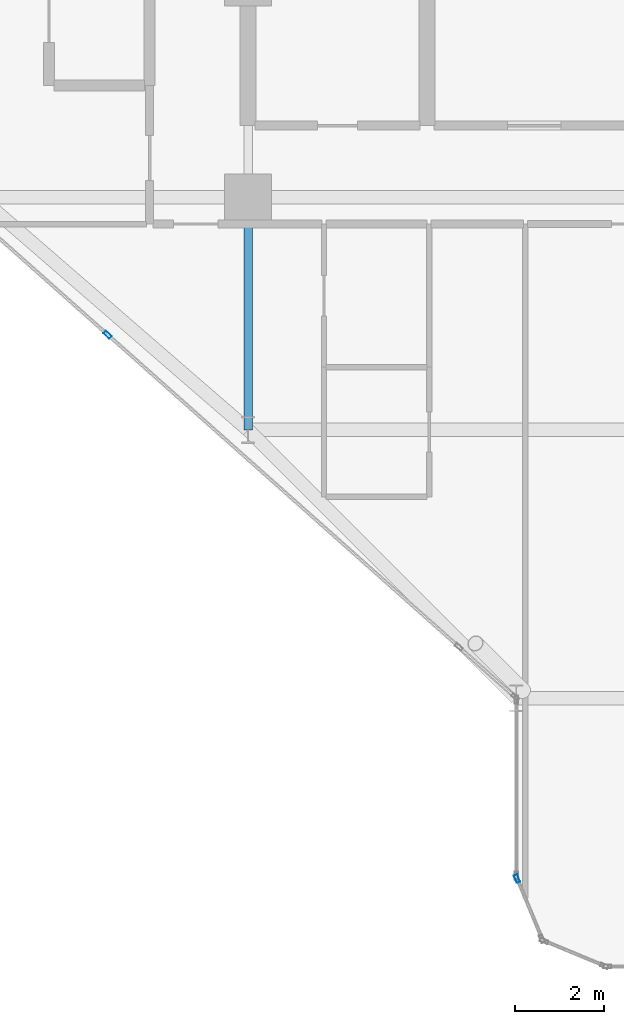
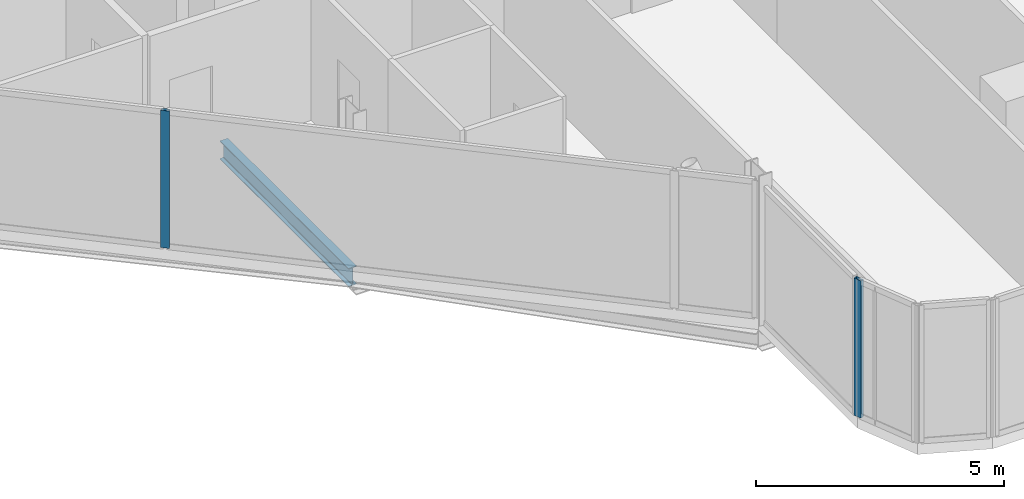
# One storey, part 3 of 29: 2 members, 1 beam, 2 elements without a shape of their own.
"""IFC4 building model written with IfcOpenShell, lengths in metres."""

import ifcopenshell
import ifcopenshell.guid

model = None  # the IFC model being written
_history = None  # IfcOwnerHistory: only IFC2X3 demands one
_inside = {}  # id of a spatial element -> (the spatial element, [elements in it])
_under = {}  # id of a project, library or spatial element -> (it, [spatial elements below it])
_declared = {}  # id of a project -> (the project, [libraries it declares])
_typed = {}  # id of a type object -> (the type object, [elements of that type])
_made_of = {}  # id of a material, layer set ... -> (it, [elements and type objects made of it])


def new_model(schema):
    """Start an empty IFC model of exactly this schema.

    Asked for "IFC4X3", IfcOpenShell would pick the latest addendum, in which some entities
    have other attributes; the version numbers below select the first issue.
    IFC2X3 requires an IfcOwnerHistory on every rooted entity: one is made here for all.
    """
    global model, _history
    if schema == "IFC4X3":
        model = ifcopenshell.file(schema_version=(4, 3, 0, 0))
    else:
        model = ifcopenshell.file(schema=schema)
    _inside.clear()
    _under.clear()
    _declared.clear()
    _typed.clear()
    _made_of.clear()
    _history = None
    if model.schema == "IFC2X3":
        org = make("IfcOrganization", Name="unknown")
        user = make(
            "IfcPersonAndOrganization",
            ThePerson=make("IfcPerson", FamilyName="unknown"),
            TheOrganization=org,
        )
        app = make(
            "IfcApplication",
            ApplicationDeveloper=org,
            Version="unknown",
            ApplicationFullName="unknown",
            ApplicationIdentifier="unknown",
        )
        _history = make(
            "IfcOwnerHistory",
            OwningUser=user,
            OwningApplication=app,
            ChangeAction="ADDED",
            CreationDate=0,
        )
    return model


def make(cls, **values):
    """One entity of the class cls with the attributes given. An attribute that is None is left unset."""
    return model.create_entity(
        cls, **{name: value for name, value in values.items() if value is not None}
    )


def rooted(cls, **values):
    """An entity with a GlobalId (a new one), such as an element, a storey or a relation."""
    return make(cls, GlobalId=ifcopenshell.guid.new(), OwnerHistory=_history, **values)


def si_unit(unit_type, name, prefix=None):
    """IfcSIUnit, for example si_unit("LENGTHUNIT", "METRE", prefix="MILLI")."""
    return make("IfcSIUnit", UnitType=unit_type, Prefix=prefix, Name=name)


def assignment(units):
    """IfcUnitAssignment: the units of a project."""
    return None if units is None else make("IfcUnitAssignment", Units=units)


def point(xyz):
    """IfcCartesianPoint."""
    return None if xyz is None else make("IfcCartesianPoint", Coordinates=xyz)


def direction(xyz):
    """IfcDirection."""
    return None if xyz is None else make("IfcDirection", DirectionRatios=xyz)


def frame(location, z_axis=None, x_axis=None):
    """IfcAxis2Placement3D, a coordinate frame: its origin and axes. An axis left out is left unset."""
    return make(
        "IfcAxis2Placement3D",
        Location=point(location),
        Axis=direction(z_axis),
        RefDirection=direction(x_axis),
    )


def frame_2d(location, x_axis=None):
    """IfcAxis2Placement2D, a coordinate frame in the plane: its origin and x axis."""
    return make(
        "IfcAxis2Placement2D", Location=point(location), RefDirection=direction(x_axis)
    )


def origin():
    """The frame at (0, 0, 0) with its axes left unset."""
    return frame((0.0, 0.0, 0.0))


def origin_2d():
    """The frame at (0, 0) in the plane with its x axis left unset."""
    return frame_2d((0.0, 0.0))


def place(relative_to, where):
    """IfcLocalPlacement: puts the frame where relative to a parent placement (None: the world)."""
    return make(
        "IfcLocalPlacement", PlacementRelTo=relative_to, RelativePlacement=where
    )


def context(
    kind, dimensions, precision=None, world=None, true_north=None, identifier=None
):
    """IfcGeometricRepresentationContext, for example the 3D "Model" context."""
    return make(
        "IfcGeometricRepresentationContext",
        ContextIdentifier=identifier,
        ContextType=kind,
        CoordinateSpaceDimension=dimensions,
        Precision=precision,
        WorldCoordinateSystem=world,
        TrueNorth=true_north,
    )


def subcontext(parent, identifier, kind, view, scale=None):
    """IfcGeometricRepresentationSubContext, for example "Body" below "Model"."""
    return make(
        "IfcGeometricRepresentationSubContext",
        ContextIdentifier=identifier,
        ContextType=kind,
        ParentContext=parent,
        TargetScale=scale,
        TargetView=view,
    )


def project(units=None, contexts=None):
    """IfcProject with its units and contexts."""
    return rooted(
        "IfcProject",
        Name="project",
        RepresentationContexts=contexts,
        UnitsInContext=assignment(units),
    )


def spatial(cls, under=None, at=None, **own):
    """A site, building, storey or space (cls), placed at a placement, below another one or the project."""
    s = rooted(cls, ObjectPlacement=at, **own)
    if under is not None:
        _under.setdefault(under.id(), (under, []))[1].append(s)
    return s


def profile(cls, at=None, kind="AREA", **sizes):
    """A parametric profile (cls). Its sizes go by their IFC names, for example OverallWidth=200.0."""
    return make(cls, ProfileType=kind, Position=at, **sizes)


def hollow_rectangle(**sizes):
    """IfcRectangleHollowProfileDef."""
    return profile("IfcRectangleHollowProfileDef", **sizes)


def i_section(**sizes):
    """IfcIShapeProfileDef."""
    return profile("IfcIShapeProfileDef", **sizes)


def extrude(swept, where, along, depth):
    """IfcExtrudedAreaSolid: the profile swept, set in the frame where, extruded along a direction by depth."""
    return make(
        "IfcExtrudedAreaSolid",
        SweptArea=swept,
        Position=where,
        ExtrudedDirection=direction(along),
        Depth=depth,
    )


def shape(context_of_items, identifier, shape_type, items):
    """IfcShapeRepresentation: the items that make up one representation, for example the "Body"."""
    return make(
        "IfcShapeRepresentation",
        ContextOfItems=context_of_items,
        RepresentationIdentifier=identifier,
        RepresentationType=shape_type,
        Items=items,
    )


def material(Name=None, Category=None):
    """IfcMaterial."""
    return make("IfcMaterial", Name=Name, Category=Category)


def layer(
    of_material, thickness, ventilated=None, Name=None, Category=None, Priority=None
):
    """IfcMaterialLayer: one layer of a wall or slab, of a material (None: an air gap)."""
    return make(
        "IfcMaterialLayer",
        Material=of_material,
        LayerThickness=thickness,
        IsVentilated=ventilated,
        Name=Name,
        Category=Category,
        Priority=Priority,
    )


def layer_set(layers, Name=None):
    """IfcMaterialLayerSet."""
    return make("IfcMaterialLayerSet", MaterialLayers=layers, LayerSetName=Name)


def material_profile(
    of_material, cross_section, Name=None, Category=None, Priority=None
):
    """IfcMaterialProfile: a cross section and its material."""
    return make(
        "IfcMaterialProfile",
        Name=Name,
        Material=of_material,
        Profile=cross_section,
        Priority=Priority,
        Category=Category,
    )


def profile_set(profiles, Name=None, composite=None):
    """IfcMaterialProfileSet."""
    return make(
        "IfcMaterialProfileSet",
        Name=Name,
        MaterialProfiles=profiles,
        CompositeProfile=composite,
    )


def made_of(thing, what):
    """Note that an element or type object is made of a material, layer set ...; save() writes the relation."""
    if what is not None:
        _made_of.setdefault(what.id(), (what, []))[1].append(thing)
    return thing


def type_object(cls, material=None, **own):
    """A type object (cls), such as IfcWallType, which elements share."""
    return made_of(rooted(cls, **own), material)


def element(
    cls,
    number,
    at=None,
    inside=None,
    cuts=None,
    type_object=None,
    material=None,
    context=None,
    identifier="Body",
    shape_type=None,
    held_by="IfcProductDefinitionShape",
    body=None,
    shapes=None,
    **own,
):
    """One element of the class cls, such as IfcWall. Its Tag is "e" and its number.

    at: its placement. inside: the storey or other place that contains it. cuts: it is an
    opening in that element (IfcRelVoidsElement). A single representation is given by context,
    identifier, shape_type and body (its items); several are given by shapes. held_by: the class
    of the entity that holds the representations. save() writes the other relations.
    """
    e = rooted(cls, Tag="e%d" % number, ObjectPlacement=at, **own)
    if body is not None:
        shapes = [shape(context, identifier, shape_type, body)]
    if shapes is not None:
        e.Representation = make(held_by, Representations=shapes)
    if inside is not None:
        _inside.setdefault(inside.id(), (inside, []))[1].append(e)
    if cuts is not None:
        rooted(
            "IfcRelVoidsElement", RelatingBuildingElement=cuts, RelatedOpeningElement=e
        )
    if type_object is not None:
        _typed.setdefault(type_object.id(), (type_object, []))[1].append(e)
    return made_of(e, material)


def aggregate(whole, parts):
    """IfcRelAggregates: a whole, such as a stair, and the parts it consists of."""
    return rooted("IfcRelAggregates", RelatingObject=whole, RelatedObjects=parts)


def save(model, path):
    """Write the relations noted so far, then the file.

    IfcRelAggregates (storeys below a building ...), IfcRelContainedInSpatialStructure (elements
    in a storey), IfcRelDefinesByType, IfcRelAssociatesMaterial and IfcRelDeclares: one each for
    every whole, place, type object, material and project.
    """
    for whole, parts in _under.values():
        aggregate(whole, parts)
    for where, things in _inside.values():
        rooted(
            "IfcRelContainedInSpatialStructure",
            RelatedElements=things,
            RelatingStructure=where,
        )
    for kind, things in _typed.values():
        rooted("IfcRelDefinesByType", RelatedObjects=things, RelatingType=kind)
    for what, things in _made_of.values():
        rooted("IfcRelAssociatesMaterial", RelatedObjects=things, RelatingMaterial=what)
    for by, libraries in _declared.values():
        rooted("IfcRelDeclares", RelatingContext=by, RelatedDefinitions=libraries)
    model.write(path)


model = new_model("IFC4")

# Units and contexts
model_context = context("Model", 3, precision=1e-05, world=origin(), true_north=direction((0.0, 1.0)))
body_context = subcontext(model_context, "Body", "Model", "MODEL_VIEW")
ifc_project = project(units=[si_unit("LENGTHUNIT", "METRE"), si_unit("AREAUNIT", "SQUARE_METRE"), si_unit("VOLUMEUNIT", "CUBIC_METRE"), si_unit("PLANEANGLEUNIT", "RADIAN"), si_unit("MASSUNIT", "GRAM", prefix="KILO")], contexts=[model_context])

# Site, building, storey
site_placement = place(None, origin())
site = spatial("IfcSite", under=ifc_project, at=site_placement, CompositionType="ELEMENT")
building_placement = place(site_placement, origin())
building = spatial("IfcBuilding", under=site, at=building_placement, Name="Keshet Zoharim Tower", CompositionType="ELEMENT")
storey_placement = place(building_placement, frame((0.0, 0.0, 105.699951171875)))
storey = spatial("IfcBuildingStorey", under=building, at=storey_placement, Name="L25", CompositionType="ELEMENT", Elevation=105.699951171875)

# Beam
ifc_material_1 = material(Name="Steel S355", Category="steel")
ifc_material_profile_1 = material_profile(ifc_material_1, i_section(OverallWidth=0.18994140625, OverallDepth=0.449951171875, WebThickness=0.009521484375, FlangeThickness=0.0146484375, FilletRadius=0.02099609375, at=origin_2d()), Name="IPE450")
ifc_profile_set_1 = profile_set([ifc_material_profile_1], Name="Steel S355")
beam_type = type_object("IfcBeamType", Name="BM-PRI-IP450", PredefinedType="BEAM", material=ifc_profile_set_1)
beam_placement = place(storey_placement, frame((15.0, 12.699951171875, -0.5400390625), z_axis=(0.0, 1.0, 0.0), x_axis=(-1.0, 0.0, 0.0)))
element("IfcBeam", 1, at=beam_placement, inside=storey, type_object=beam_type, Name="L25 Primary Girder Y-002", PredefinedType="BEAM", context=body_context, shape_type="SweptSolid", body=[
    extrude(i_section(OverallWidth=0.18994140625, OverallDepth=0.449951171875, WebThickness=0.009521484375, FlangeThickness=0.0146484375, FilletRadius=0.02099609375, at=origin_2d()), origin(), (0.0, 0.0, 1.0), 5.199951171875),
])

# Curtain wall, member
ifc_material_2 = material(Name="Aluminium 6063-T6", Category="aluminium")
ifc_layer = layer(ifc_material_2, 0.159912109375)
ifc_layer_set = layer_set([ifc_layer], Name="Aluminium 6063-T6")
curtain_wall_type = type_object("IfcCurtainWallType", Name="CW-SYS-03", PredefinedType="NOTDEFINED", material=ifc_layer_set)
curtain_wall_1_placement = place(storey_placement, origin())
curtain_wall_1 = element("IfcCurtainWall", 2, at=curtain_wall_1_placement, inside=storey, type_object=curtain_wall_type, Name="L25 Unitised Curtain Wall 05", PredefinedType="NOTDEFINED")
ifc_material_profile_2 = material_profile(ifc_material_2, hollow_rectangle(XDim=0.080078125, YDim=0.179931640625, WallThickness=0.00439453125, at=origin_2d()), Name="MUL-80x180")
ifc_profile_set_2 = profile_set([ifc_material_profile_2], Name="Aluminium 6063-T6")
member_type = type_object("IfcMemberType", Name="CWM-M18", PredefinedType="MULLION", material=ifc_profile_set_2)
member_1_placement = place(storey_placement, frame((21.013427734375, 2.667724609375, 0.0), z_axis=(0.0, 0.0, 1.0), x_axis=(-0.92380975372, -0.382851849847, 0.0)))
member_1 = element("IfcMember", 3, at=member_1_placement, type_object=member_type, Name="CW-03 mullion 2", PredefinedType="MULLION", context=body_context, shape_type="SweptSolid", body=[
    extrude(hollow_rectangle(XDim=0.080078125, YDim=0.179931640625, WallThickness=0.00439453125, at=origin_2d()), origin(), (0.0, 0.0, 1.0), 3.385009765625),
])
aggregate(curtain_wall_1, [member_1])

curtain_wall_2_placement = place(storey_placement, origin())
curtain_wall_2 = element("IfcCurtainWall", 4, at=curtain_wall_2_placement, inside=storey, type_object=curtain_wall_type, Name="L25 Unitised Curtain Wall 07 Part 2", PredefinedType="NOTDEFINED")
member_2_placement = place(storey_placement, frame((11.859619140625, 14.82470703125, 0.0), z_axis=(0.0, 0.0, 1.0), x_axis=(-0.664364135264, -0.747409055186, 0.0)))
member_2 = element("IfcMember", 5, at=member_2_placement, type_object=member_type, Name="CW-03 mullion 2", PredefinedType="MULLION", context=body_context, shape_type="SweptSolid", body=[
    extrude(hollow_rectangle(XDim=0.080078125, YDim=0.179931640625, WallThickness=0.00439453125, at=origin_2d()), origin(), (0.0, 0.0, 1.0), 3.385009765625),
])
aggregate(curtain_wall_2, [member_2])

save(model, "model.ifc")
